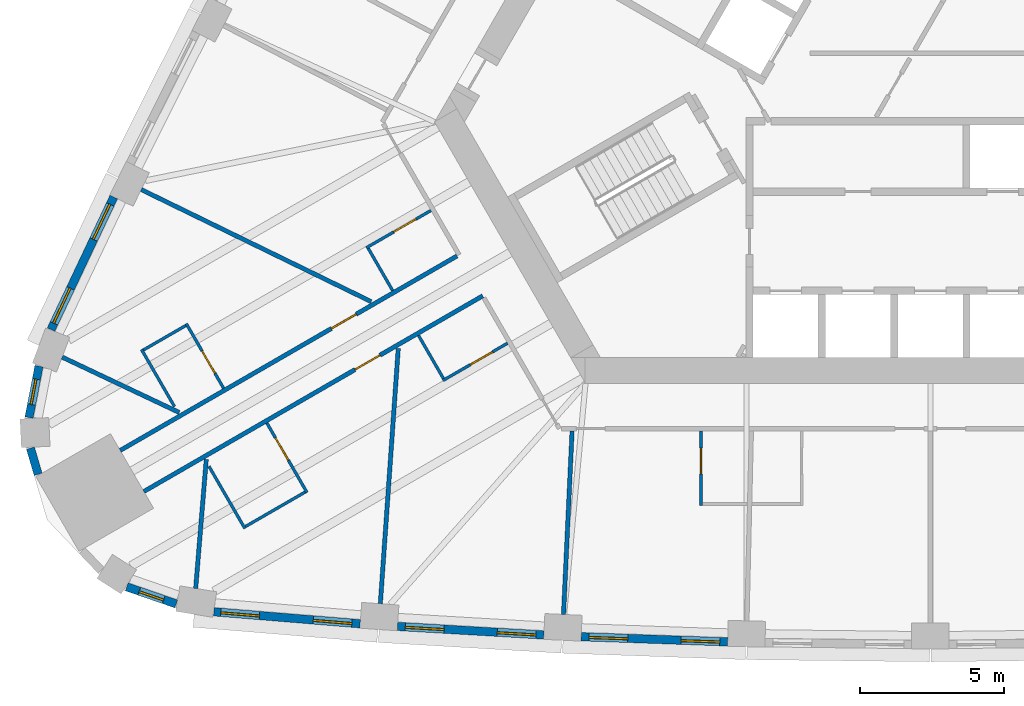
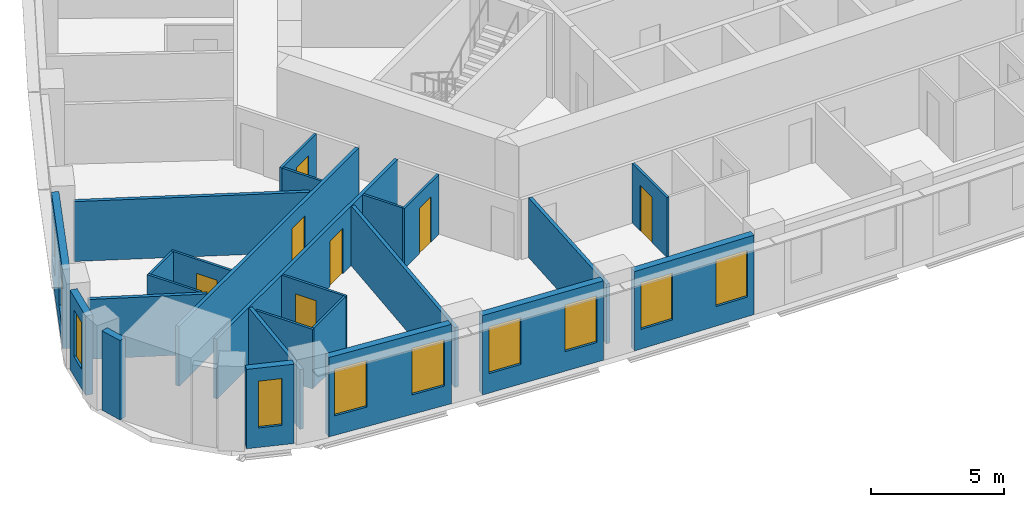
# One storey, part 3 of 13: 25 walls, 10 windows, 7 doors, 17 openings.
"""IFC4 building model written with IfcOpenShell, lengths in metres."""

import ifcopenshell
import ifcopenshell.guid

model = None  # the IFC model being written
_history = None  # IfcOwnerHistory: only IFC2X3 demands one
_inside = {}  # id of a spatial element -> (the spatial element, [elements in it])
_under = {}  # id of a project, library or spatial element -> (it, [spatial elements below it])
_declared = {}  # id of a project -> (the project, [libraries it declares])
_typed = {}  # id of a type object -> (the type object, [elements of that type])
_made_of = {}  # id of a material, layer set ... -> (it, [elements and type objects made of it])


def new_model(schema):
    """Start an empty IFC model of exactly this schema.

    Asked for "IFC4X3", IfcOpenShell would pick the latest addendum, in which some entities
    have other attributes; the version numbers below select the first issue.
    IFC2X3 requires an IfcOwnerHistory on every rooted entity: one is made here for all.
    """
    global model, _history
    if schema == "IFC4X3":
        model = ifcopenshell.file(schema_version=(4, 3, 0, 0))
    else:
        model = ifcopenshell.file(schema=schema)
    _inside.clear()
    _under.clear()
    _declared.clear()
    _typed.clear()
    _made_of.clear()
    _history = None
    if model.schema == "IFC2X3":
        org = make("IfcOrganization", Name="unknown")
        user = make(
            "IfcPersonAndOrganization",
            ThePerson=make("IfcPerson", FamilyName="unknown"),
            TheOrganization=org,
        )
        app = make(
            "IfcApplication",
            ApplicationDeveloper=org,
            Version="unknown",
            ApplicationFullName="unknown",
            ApplicationIdentifier="unknown",
        )
        _history = make(
            "IfcOwnerHistory",
            OwningUser=user,
            OwningApplication=app,
            ChangeAction="ADDED",
            CreationDate=0,
        )
    return model


def make(cls, **values):
    """One entity of the class cls with the attributes given. An attribute that is None is left unset."""
    return model.create_entity(
        cls, **{name: value for name, value in values.items() if value is not None}
    )


def rooted(cls, **values):
    """An entity with a GlobalId (a new one), such as an element, a storey or a relation."""
    return make(cls, GlobalId=ifcopenshell.guid.new(), OwnerHistory=_history, **values)


def si_unit(unit_type, name, prefix=None):
    """IfcSIUnit, for example si_unit("LENGTHUNIT", "METRE", prefix="MILLI")."""
    return make("IfcSIUnit", UnitType=unit_type, Prefix=prefix, Name=name)


def assignment(units):
    """IfcUnitAssignment: the units of a project."""
    return None if units is None else make("IfcUnitAssignment", Units=units)


def point(xyz):
    """IfcCartesianPoint."""
    return None if xyz is None else make("IfcCartesianPoint", Coordinates=xyz)


def direction(xyz):
    """IfcDirection."""
    return None if xyz is None else make("IfcDirection", DirectionRatios=xyz)


def frame(location, z_axis=None, x_axis=None):
    """IfcAxis2Placement3D, a coordinate frame: its origin and axes. An axis left out is left unset."""
    return make(
        "IfcAxis2Placement3D",
        Location=point(location),
        Axis=direction(z_axis),
        RefDirection=direction(x_axis),
    )


def frame_2d(location, x_axis=None):
    """IfcAxis2Placement2D, a coordinate frame in the plane: its origin and x axis."""
    return make(
        "IfcAxis2Placement2D", Location=point(location), RefDirection=direction(x_axis)
    )


def origin():
    """The frame at (0, 0, 0) with its axes left unset."""
    return frame((0.0, 0.0, 0.0))


def place(relative_to, where):
    """IfcLocalPlacement: puts the frame where relative to a parent placement (None: the world)."""
    return make(
        "IfcLocalPlacement", PlacementRelTo=relative_to, RelativePlacement=where
    )


def context(
    kind, dimensions, precision=None, world=None, true_north=None, identifier=None
):
    """IfcGeometricRepresentationContext, for example the 3D "Model" context."""
    return make(
        "IfcGeometricRepresentationContext",
        ContextIdentifier=identifier,
        ContextType=kind,
        CoordinateSpaceDimension=dimensions,
        Precision=precision,
        WorldCoordinateSystem=world,
        TrueNorth=true_north,
    )


def subcontext(parent, identifier, kind, view, scale=None):
    """IfcGeometricRepresentationSubContext, for example "Body" below "Model"."""
    return make(
        "IfcGeometricRepresentationSubContext",
        ContextIdentifier=identifier,
        ContextType=kind,
        ParentContext=parent,
        TargetScale=scale,
        TargetView=view,
    )


def project(units=None, contexts=None):
    """IfcProject with its units and contexts."""
    return rooted(
        "IfcProject",
        Name="project",
        RepresentationContexts=contexts,
        UnitsInContext=assignment(units),
    )


def spatial(cls, under=None, at=None, **own):
    """A site, building, storey or space (cls), placed at a placement, below another one or the project."""
    s = rooted(cls, ObjectPlacement=at, **own)
    if under is not None:
        _under.setdefault(under.id(), (under, []))[1].append(s)
    return s


def profile(cls, at=None, kind="AREA", **sizes):
    """A parametric profile (cls). Its sizes go by their IFC names, for example OverallWidth=200.0."""
    return make(cls, ProfileType=kind, Position=at, **sizes)


def rectangle(**sizes):
    """IfcRectangleProfileDef."""
    return profile("IfcRectangleProfileDef", **sizes)


def extrude(swept, where, along, depth):
    """IfcExtrudedAreaSolid: the profile swept, set in the frame where, extruded along a direction by depth."""
    return make(
        "IfcExtrudedAreaSolid",
        SweptArea=swept,
        Position=where,
        ExtrudedDirection=direction(along),
        Depth=depth,
    )


def shape(context_of_items, identifier, shape_type, items):
    """IfcShapeRepresentation: the items that make up one representation, for example the "Body"."""
    return make(
        "IfcShapeRepresentation",
        ContextOfItems=context_of_items,
        RepresentationIdentifier=identifier,
        RepresentationType=shape_type,
        Items=items,
    )


def material(Name=None, Category=None):
    """IfcMaterial."""
    return make("IfcMaterial", Name=Name, Category=Category)


def layer(
    of_material, thickness, ventilated=None, Name=None, Category=None, Priority=None
):
    """IfcMaterialLayer: one layer of a wall or slab, of a material (None: an air gap)."""
    return make(
        "IfcMaterialLayer",
        Material=of_material,
        LayerThickness=thickness,
        IsVentilated=ventilated,
        Name=Name,
        Category=Category,
        Priority=Priority,
    )


def layer_set(layers, Name=None):
    """IfcMaterialLayerSet."""
    return make("IfcMaterialLayerSet", MaterialLayers=layers, LayerSetName=Name)


def made_of(thing, what):
    """Note that an element or type object is made of a material, layer set ...; save() writes the relation."""
    if what is not None:
        _made_of.setdefault(what.id(), (what, []))[1].append(thing)
    return thing


def type_object(cls, material=None, **own):
    """A type object (cls), such as IfcWallType, which elements share."""
    return made_of(rooted(cls, **own), material)


def element(
    cls,
    number,
    at=None,
    inside=None,
    cuts=None,
    type_object=None,
    material=None,
    context=None,
    identifier="Body",
    shape_type=None,
    held_by="IfcProductDefinitionShape",
    body=None,
    shapes=None,
    **own,
):
    """One element of the class cls, such as IfcWall. Its Tag is "e" and its number.

    at: its placement. inside: the storey or other place that contains it. cuts: it is an
    opening in that element (IfcRelVoidsElement). A single representation is given by context,
    identifier, shape_type and body (its items); several are given by shapes. held_by: the class
    of the entity that holds the representations. save() writes the other relations.
    """
    e = rooted(cls, Tag="e%d" % number, ObjectPlacement=at, **own)
    if body is not None:
        shapes = [shape(context, identifier, shape_type, body)]
    if shapes is not None:
        e.Representation = make(held_by, Representations=shapes)
    if inside is not None:
        _inside.setdefault(inside.id(), (inside, []))[1].append(e)
    if cuts is not None:
        rooted(
            "IfcRelVoidsElement", RelatingBuildingElement=cuts, RelatedOpeningElement=e
        )
    if type_object is not None:
        _typed.setdefault(type_object.id(), (type_object, []))[1].append(e)
    return made_of(e, material)


def fill(opening, filler):
    """IfcRelFillsElement: the door or window that sits in an opening."""
    return rooted(
        "IfcRelFillsElement",
        RelatingOpeningElement=opening,
        RelatedBuildingElement=filler,
    )


def aggregate(whole, parts):
    """IfcRelAggregates: a whole, such as a stair, and the parts it consists of."""
    return rooted("IfcRelAggregates", RelatingObject=whole, RelatedObjects=parts)


def save(model, path):
    """Write the relations noted so far, then the file.

    IfcRelAggregates (storeys below a building ...), IfcRelContainedInSpatialStructure (elements
    in a storey), IfcRelDefinesByType, IfcRelAssociatesMaterial and IfcRelDeclares: one each for
    every whole, place, type object, material and project.
    """
    for whole, parts in _under.values():
        aggregate(whole, parts)
    for where, things in _inside.values():
        rooted(
            "IfcRelContainedInSpatialStructure",
            RelatedElements=things,
            RelatingStructure=where,
        )
    for kind, things in _typed.values():
        rooted("IfcRelDefinesByType", RelatedObjects=things, RelatingType=kind)
    for what, things in _made_of.values():
        rooted("IfcRelAssociatesMaterial", RelatedObjects=things, RelatingMaterial=what)
    for by, libraries in _declared.values():
        rooted("IfcRelDeclares", RelatingContext=by, RelatedDefinitions=libraries)
    model.write(path)


model = new_model("IFC4")

# Units and contexts
model_context = context("Model", 3, precision=1e-05, world=origin(), true_north=direction((0.0, 1.0)))
body_context = subcontext(model_context, "Body", "Model", "MODEL_VIEW")
ifc_project = project(units=[si_unit("LENGTHUNIT", "METRE"), si_unit("AREAUNIT", "SQUARE_METRE"), si_unit("VOLUMEUNIT", "CUBIC_METRE"), si_unit("PLANEANGLEUNIT", "RADIAN"), si_unit("MASSUNIT", "GRAM", prefix="KILO")], contexts=[model_context])

# Site, building, storey
site_placement = place(None, origin())
site = spatial("IfcSite", under=ifc_project, at=site_placement, CompositionType="ELEMENT")
building_placement = place(site_placement, origin())
building = spatial("IfcBuilding", under=site, at=building_placement, Name="Mestral Congress Tower", CompositionType="ELEMENT")
storey_placement = place(building_placement, frame((0.0, 0.0, 95.39990234375)))
storey = spatial("IfcBuildingStorey", under=building, at=storey_placement, Name="L22", CompositionType="ELEMENT", Elevation=95.39990234375)

# Wall, openings, windows
ifc_material_1 = material(Name="Precast concrete C40/50 with limestone facing", Category="masonry")
ifc_layer_1 = layer(ifc_material_1, 0.2900390625)
ifc_layer_set_1 = layer_set([ifc_layer_1], Name="Precast concrete C40/50 with limestone facing")
wall_type_1 = type_object("IfcWallType", Name="Facade stone wall 290", PredefinedType="SOLIDWALL", material=ifc_layer_set_1)
wall_1_placement = place(storey_placement, frame((-24.9462890625, -20.95361328125, 0.0), z_axis=(0.0, 0.0, 1.0), x_axis=(0.99665273362, -0.081751627308, 0.0)))
wall_1 = element("IfcWall", 1, at=wall_1_placement, inside=storey, type_object=wall_type_1, Name="Facade wall F0-00", PredefinedType="SOLIDWALL", context=body_context, shape_type="SweptSolid", body=[
    extrude(rectangle(XDim=5.106689453125, YDim=0.2900390625, at=frame_2d((2.55322265625, 0.0))), origin(), (0.0, 0.0, 1.0), 3.650146484375),
])
opening_1_placement = place(wall_1_placement, frame((0.240478515625, 0.0, 0.89990234375)))
opening_1 = element("IfcOpeningElement", 2, at=opening_1_placement, cuts=wall_1, Name="Opening W2", PredefinedType="OPENING", context=body_context, shape_type="SweptSolid", body=[
    extrude(rectangle(XDim=1.35009765625, YDim=2.14990234375, at=frame_2d((0.675048828125, 1.074951171875))), frame((0.0, 0.155029296875, 0.0), z_axis=(0.0, -1.0, 0.0), x_axis=(1.0, 0.0, 0.0)), (0.0, 0.0, 1.0), 0.31005859375),
])
opening_2_placement = place(wall_1_placement, frame((3.47119140625, 0.0, 0.89990234375)))
opening_2 = element("IfcOpeningElement", 3, at=opening_2_placement, cuts=wall_1, Name="Opening W2", PredefinedType="OPENING", context=body_context, shape_type="SweptSolid", body=[
    extrude(rectangle(XDim=1.35009765625, YDim=2.14990234375, at=frame_2d((0.675048828125, 1.074951171875))), frame((0.0, 0.155029296875, 0.0), z_axis=(0.0, -1.0, 0.0), x_axis=(1.0, 0.0, 0.0)), (0.0, 0.0, 1.0), 0.31005859375),
])
ifc_material_2 = material(Name="Clear low-emissivity double glazing", Category="glass")
window_type_1 = type_object("IfcWindowType", Name="Facade punched window 1350 x 2150 sill 900", PartitioningType="DOUBLE_PANEL_VERTICAL", PredefinedType="WINDOW", material=ifc_material_2)
window_1_placement = place(opening_1_placement, origin())
window_1 = element("IfcWindow", 4, at=window_1_placement, inside=storey, type_object=window_type_1, Name="Window F0-00a", OverallHeight=2.14990234375, OverallWidth=1.35009765625, PartitioningType="DOUBLE_PANEL_VERTICAL", PredefinedType="WINDOW", context=body_context, shape_type="SweptSolid", body=[
    extrude(rectangle(XDim=1.35009765625, YDim=2.14990234375, at=frame_2d((0.675048828125, 1.074951171875))), frame((0.0, 0.01513671875, 0.0), z_axis=(0.0, -1.0, 0.0), x_axis=(1.0, 0.0, 0.0)), (0.0, 0.0, 1.0), 0.06005859375),
])
fill(opening_1, window_1)
window_2_placement = place(opening_2_placement, origin())
window_2 = element("IfcWindow", 5, at=window_2_placement, inside=storey, type_object=window_type_1, Name="Window F0-00b", OverallHeight=2.14990234375, OverallWidth=1.35009765625, PartitioningType="DOUBLE_PANEL_VERTICAL", PredefinedType="WINDOW", context=body_context, shape_type="SweptSolid", body=[
    extrude(rectangle(XDim=1.35009765625, YDim=2.14990234375, at=frame_2d((0.675048828125, 1.074951171875))), frame((0.0, 0.01513671875, 0.0), z_axis=(0.0, -1.0, 0.0), x_axis=(1.0, 0.0, 0.0)), (0.0, 0.0, 1.0), 0.06005859375),
])
fill(opening_2, window_2)

wall_2_placement = place(storey_placement, frame((-18.553466796875, -21.462890625, 0.0), z_axis=(0.0, 0.0, 1.0), x_axis=(0.998290511436, -0.058447025388, 0.0)))
wall_2 = element("IfcWall", 6, at=wall_2_placement, inside=storey, type_object=wall_type_1, Name="Facade wall F0-01", PredefinedType="SOLIDWALL", context=body_context, shape_type="SweptSolid", body=[
    extrude(rectangle(XDim=5.100341796875, YDim=0.2900390625, at=frame_2d((2.55029296875, 0.0))), origin(), (0.0, 0.0, 1.0), 3.650146484375),
])
opening_3_placement = place(wall_2_placement, frame((0.272705078125, 0.0, 0.89990234375)))
opening_3 = element("IfcOpeningElement", 7, at=opening_3_placement, cuts=wall_2, Name="Opening W2", PredefinedType="OPENING", context=body_context, shape_type="SweptSolid", body=[
    extrude(rectangle(XDim=1.35009765625, YDim=2.14990234375, at=frame_2d((0.675048828125, 1.074951171875))), frame((0.0, 0.155029296875, 0.0), z_axis=(0.0, -1.0, 0.0), x_axis=(1.0, 0.0, 0.0)), (0.0, 0.0, 1.0), 0.31005859375),
])
opening_4_placement = place(wall_2_placement, frame((3.477783203125, 0.0, 0.89990234375)))
opening_4 = element("IfcOpeningElement", 8, at=opening_4_placement, cuts=wall_2, Name="Opening W2", PredefinedType="OPENING", context=body_context, shape_type="SweptSolid", body=[
    extrude(rectangle(XDim=1.35009765625, YDim=2.14990234375, at=frame_2d((0.675048828125, 1.074951171875))), frame((0.0, 0.155029296875, 0.0), z_axis=(0.0, -1.0, 0.0), x_axis=(1.0, 0.0, 0.0)), (0.0, 0.0, 1.0), 0.31005859375),
])
window_3_placement = place(opening_3_placement, origin())
window_3 = element("IfcWindow", 9, at=window_3_placement, inside=storey, type_object=window_type_1, Name="Window F0-01a", OverallHeight=2.14990234375, OverallWidth=1.35009765625, PartitioningType="DOUBLE_PANEL_VERTICAL", PredefinedType="WINDOW", context=body_context, shape_type="SweptSolid", body=[
    extrude(rectangle(XDim=1.35009765625, YDim=2.14990234375, at=frame_2d((0.675048828125, 1.074951171875))), frame((0.0, 0.01513671875, 0.0), z_axis=(0.0, -1.0, 0.0), x_axis=(1.0, 0.0, 0.0)), (0.0, 0.0, 1.0), 0.06005859375),
])
fill(opening_3, window_3)
window_4_placement = place(opening_4_placement, origin())
window_4 = element("IfcWindow", 10, at=window_4_placement, inside=storey, type_object=window_type_1, Name="Window F0-01b", OverallHeight=2.14990234375, OverallWidth=1.35009765625, PartitioningType="DOUBLE_PANEL_VERTICAL", PredefinedType="WINDOW", context=body_context, shape_type="SweptSolid", body=[
    extrude(rectangle(XDim=1.35009765625, YDim=2.14990234375, at=frame_2d((0.675048828125, 1.074951171875))), frame((0.0, 0.01513671875, 0.0), z_axis=(0.0, -1.0, 0.0), x_axis=(1.0, 0.0, 0.0)), (0.0, 0.0, 1.0), 0.06005859375),
])
fill(opening_4, window_4)

wall_3_placement = place(storey_placement, frame((-12.15673828125, -21.822021484375, 0.0), z_axis=(0.0, 0.0, 1.0), x_axis=(0.999385993957, -0.035037623812, 0.0)))
wall_3 = element("IfcWall", 11, at=wall_3_placement, inside=storey, type_object=wall_type_1, Name="Facade wall F0-02", PredefinedType="SOLIDWALL", context=body_context, shape_type="SweptSolid", body=[
    extrude(rectangle(XDim=5.1005859375, YDim=0.2900390625, at=frame_2d((2.55029296875, 0.0))), origin(), (0.0, 0.0, 1.0), 3.650146484375),
])
opening_5_placement = place(wall_3_placement, frame((0.272705078125, 0.0, 0.89990234375)))
opening_5 = element("IfcOpeningElement", 12, at=opening_5_placement, cuts=wall_3, Name="Opening W2", PredefinedType="OPENING", context=body_context, shape_type="SweptSolid", body=[
    extrude(rectangle(XDim=1.35009765625, YDim=2.14990234375, at=frame_2d((0.675048828125, 1.074951171875))), frame((0.0, 0.155029296875, 0.0), z_axis=(0.0, -1.0, 0.0), x_axis=(1.0, 0.0, 0.0)), (0.0, 0.0, 1.0), 0.31005859375),
])
opening_6_placement = place(wall_3_placement, frame((3.477783203125, 0.0, 0.89990234375)))
opening_6 = element("IfcOpeningElement", 13, at=opening_6_placement, cuts=wall_3, Name="Opening W2", PredefinedType="OPENING", context=body_context, shape_type="SweptSolid", body=[
    extrude(rectangle(XDim=1.35009765625, YDim=2.14990234375, at=frame_2d((0.675048828125, 1.074951171875))), frame((0.0, 0.155029296875, 0.0), z_axis=(0.0, -1.0, 0.0), x_axis=(1.0, 0.0, 0.0)), (0.0, 0.0, 1.0), 0.31005859375),
])
window_5_placement = place(opening_5_placement, origin())
window_5 = element("IfcWindow", 14, at=window_5_placement, inside=storey, type_object=window_type_1, Name="Window F0-02a", OverallHeight=2.14990234375, OverallWidth=1.35009765625, PartitioningType="DOUBLE_PANEL_VERTICAL", PredefinedType="WINDOW", context=body_context, shape_type="SweptSolid", body=[
    extrude(rectangle(XDim=1.35009765625, YDim=2.14990234375, at=frame_2d((0.675048828125, 1.074951171875))), frame((0.0, 0.01513671875, 0.0), z_axis=(0.0, -1.0, 0.0), x_axis=(1.0, 0.0, 0.0)), (0.0, 0.0, 1.0), 0.06005859375),
])
fill(opening_5, window_5)
window_6_placement = place(opening_6_placement, origin())
window_6 = element("IfcWindow", 15, at=window_6_placement, inside=storey, type_object=window_type_1, Name="Window F0-02b", OverallHeight=2.14990234375, OverallWidth=1.35009765625, PartitioningType="DOUBLE_PANEL_VERTICAL", PredefinedType="WINDOW", context=body_context, shape_type="SweptSolid", body=[
    extrude(rectangle(XDim=1.35009765625, YDim=2.14990234375, at=frame_2d((0.675048828125, 1.074951171875))), frame((0.0, 0.01513671875, 0.0), z_axis=(0.0, -1.0, 0.0), x_axis=(1.0, 0.0, 0.0)), (0.0, 0.0, 1.0), 0.06005859375),
])
fill(opening_6, window_6)

wall_4_placement = place(storey_placement, frame((-28.436279296875, -6.5107421875, 0.0), z_axis=(0.0, 0.0, 1.0), x_axis=(-0.427543726596, -0.903994669148, 0.0)))
wall_4 = element("IfcWall", 16, at=wall_4_placement, inside=storey, type_object=wall_type_1, Name="Facade wall F2-07", PredefinedType="SOLIDWALL", context=body_context, shape_type="SweptSolid", body=[
    extrude(rectangle(XDim=5.106689453125, YDim=0.2900390625, at=frame_2d((2.55322265625, 0.0))), origin(), (0.0, 0.0, 1.0), 3.650146484375),
])
opening_7_placement = place(wall_4_placement, frame((0.285400390625, 0.0, 0.89990234375)))
opening_7 = element("IfcOpeningElement", 17, at=opening_7_placement, cuts=wall_4, Name="Opening W2", PredefinedType="OPENING", context=body_context, shape_type="SweptSolid", body=[
    extrude(rectangle(XDim=1.35009765625, YDim=2.14990234375, at=frame_2d((0.675048828125, 1.074951171875))), frame((0.0, 0.155029296875, 0.0), z_axis=(0.0, -1.0, 0.0), x_axis=(1.0, 0.0, 0.0)), (0.0, 0.0, 1.0), 0.31005859375),
])
opening_8_placement = place(wall_4_placement, frame((3.516357421875, 0.0, 0.89990234375)))
opening_8 = element("IfcOpeningElement", 18, at=opening_8_placement, cuts=wall_4, Name="Opening W2", PredefinedType="OPENING", context=body_context, shape_type="SweptSolid", body=[
    extrude(rectangle(XDim=1.35009765625, YDim=2.14990234375, at=frame_2d((0.675048828125, 1.074951171875))), frame((0.0, 0.155029296875, 0.0), z_axis=(0.0, -1.0, 0.0), x_axis=(1.0, 0.0, 0.0)), (0.0, 0.0, 1.0), 0.31005859375),
])
window_7_placement = place(opening_7_placement, origin())
window_7 = element("IfcWindow", 19, at=window_7_placement, inside=storey, type_object=window_type_1, Name="Window F2-07a", OverallHeight=2.14990234375, OverallWidth=1.35009765625, PartitioningType="DOUBLE_PANEL_VERTICAL", PredefinedType="WINDOW", context=body_context, shape_type="SweptSolid", body=[
    extrude(rectangle(XDim=1.35009765625, YDim=2.14990234375, at=frame_2d((0.675048828125, 1.074951171875))), frame((0.0, 0.01513671875, 0.0), z_axis=(0.0, -1.0, 0.0), x_axis=(1.0, 0.0, 0.0)), (0.0, 0.0, 1.0), 0.06005859375),
])
fill(opening_7, window_7)
window_8_placement = place(opening_8_placement, origin())
window_8 = element("IfcWindow", 20, at=window_8_placement, inside=storey, type_object=window_type_1, Name="Window F2-07b", OverallHeight=2.14990234375, OverallWidth=1.35009765625, PartitioningType="DOUBLE_PANEL_VERTICAL", PredefinedType="WINDOW", context=body_context, shape_type="SweptSolid", body=[
    extrude(rectangle(XDim=1.35009765625, YDim=2.14990234375, at=frame_2d((0.675048828125, 1.074951171875))), frame((0.0, 0.01513671875, 0.0), z_axis=(0.0, -1.0, 0.0), x_axis=(1.0, 0.0, 0.0)), (0.0, 0.0, 1.0), 0.06005859375),
])
fill(opening_8, window_8)

# Wall, opening, window
wall_5_placement = place(storey_placement, frame((-31.0390625, -12.403076171875, 0.0), z_axis=(0.0, 0.0, 1.0), x_axis=(-0.190409913989, -0.981704672829, 0.0)))
wall_5 = element("IfcWall", 21, at=wall_5_placement, inside=storey, type_object=wall_type_1, Name="Facade wall K2-0", PredefinedType="SOLIDWALL", context=body_context, shape_type="SweptSolid", body=[
    extrude(rectangle(XDim=1.8193359375, YDim=0.2900390625, at=frame_2d((0.90966796875, 0.0))), origin(), (0.0, 0.0, 1.0), 3.650146484375),
])
opening_9_placement = place(wall_5_placement, frame((0.459716796875, 0.0, 0.89990234375)))
opening_9 = element("IfcOpeningElement", 22, at=opening_9_placement, cuts=wall_5, Name="Opening W3", PredefinedType="OPENING", context=body_context, shape_type="SweptSolid", body=[
    extrude(rectangle(XDim=0.89990234375, YDim=2.14990234375, at=frame_2d((0.449951171875, 1.074951171875))), frame((0.0, 0.155029296875, 0.0), z_axis=(0.0, -1.0, 0.0), x_axis=(1.0, 0.0, 0.0)), (0.0, 0.0, 1.0), 0.31005859375),
])
window_type_2 = type_object("IfcWindowType", Name="Facade punched window 900 x 2150 sill 900", PartitioningType="SINGLE_PANEL", PredefinedType="WINDOW", material=ifc_material_2)
window_9_placement = place(opening_9_placement, origin())
window_9 = element("IfcWindow", 23, at=window_9_placement, inside=storey, type_object=window_type_2, Name="Window K2-0", OverallHeight=2.14990234375, OverallWidth=0.89990234375, PartitioningType="SINGLE_PANEL", PredefinedType="WINDOW", context=body_context, shape_type="SweptSolid", body=[
    extrude(rectangle(XDim=0.89990234375, YDim=2.14990234375, at=frame_2d((0.449951171875, 1.074951171875))), frame((0.0, 0.01513671875, 0.0), z_axis=(0.0, -1.0, 0.0), x_axis=(1.0, 0.0, 0.0)), (0.0, 0.0, 1.0), 0.06005859375),
])
fill(opening_9, window_9)

# Wall
wall_6_placement = place(storey_placement, frame((-31.335693359375, -15.25634765625, 0.0), z_axis=(0.0, 0.0, 1.0), x_axis=(0.281454582132, -0.95957455062, 0.0)))
element("IfcWall", 24, at=wall_6_placement, inside=storey, type_object=wall_type_1, Name="Facade wall K2-1", PredefinedType="SOLIDWALL", context=body_context, shape_type="SweptSolid", body=[
    extrude(rectangle(XDim=0.947265625, YDim=0.2900390625, at=frame_2d((0.4736328125, 0.0))), origin(), (0.0, 0.0, 1.0), 3.650146484375),
])

# Wall, opening, window
wall_7_placement = place(storey_placement, frame((-27.98095703125, -20.086181640625, 0.0), z_axis=(0.0, 0.0, 1.0), x_axis=(0.945385815453, -0.325953462844, 0.0)))
wall_7 = element("IfcWall", 25, at=wall_7_placement, inside=storey, type_object=wall_type_1, Name="Facade wall K2-3", PredefinedType="SOLIDWALL", context=body_context, shape_type="SweptSolid", body=[
    extrude(rectangle(XDim=1.8193359375, YDim=0.2900390625, at=frame_2d((0.90966796875, 0.0))), origin(), (0.0, 0.0, 1.0), 3.650146484375),
])
opening_10_placement = place(wall_7_placement, frame((0.459716796875, 0.0, 0.89990234375)))
opening_10 = element("IfcOpeningElement", 26, at=opening_10_placement, cuts=wall_7, Name="Opening W3", PredefinedType="OPENING", context=body_context, shape_type="SweptSolid", body=[
    extrude(rectangle(XDim=0.89990234375, YDim=2.14990234375, at=frame_2d((0.449951171875, 1.074951171875))), frame((0.0, 0.155029296875, 0.0), z_axis=(0.0, -1.0, 0.0), x_axis=(1.0, 0.0, 0.0)), (0.0, 0.0, 1.0), 0.31005859375),
])
window_10_placement = place(opening_10_placement, origin())
window_10 = element("IfcWindow", 27, at=window_10_placement, inside=storey, type_object=window_type_2, Name="Window K2-3", OverallHeight=2.14990234375, OverallWidth=0.89990234375, PartitioningType="SINGLE_PANEL", PredefinedType="WINDOW", context=body_context, shape_type="SweptSolid", body=[
    extrude(rectangle(XDim=0.89990234375, YDim=2.14990234375, at=frame_2d((0.449951171875, 1.074951171875))), frame((0.0, 0.01513671875, 0.0), z_axis=(0.0, -1.0, 0.0), x_axis=(1.0, 0.0, 0.0)), (0.0, 0.0, 1.0), 0.06005859375),
])
fill(opening_10, window_10)

# Wall, opening, door
ifc_material_3 = material(Name="Gypsum board partition on metal studs with mineral wool", Category="composite")
ifc_layer_2 = layer(ifc_material_3, 0.10009765625)
ifc_layer_set_2 = layer_set([ifc_layer_2], Name="Gypsum board partition on metal studs with mineral wool")
wall_type_2 = type_object("IfcWallType", Name="Hotel partition wall 100", PredefinedType="PARTITIONING", material=ifc_layer_set_2)
wall_8_placement = place(storey_placement, frame((-21.703857421875, -16.802978515625, 0.0), z_axis=(0.0, 0.0, 1.0), x_axis=(-0.500049511043, 0.865996816683, 0.0)))
wall_8 = element("IfcWall", 28, at=wall_8_placement, inside=storey, type_object=wall_type_2, Name="L22-h-pod01a", PredefinedType="PARTITIONING", context=body_context, shape_type="SweptSolid", body=[
    extrude(rectangle(XDim=2.800048828125, YDim=0.10009765625, at=frame_2d((1.39990234375, 0.0))), origin(), (0.0, 0.0, 1.0), 2.75),
])
opening_11_placement = place(wall_8_placement, frame((1.300048828125, 0.0, 0.0)))
opening_11 = element("IfcOpeningElement", 29, at=opening_11_placement, cuts=wall_8, Name="Opening H07-002", PredefinedType="OPENING", context=body_context, shape_type="SweptSolid", body=[
    extrude(rectangle(XDim=0.89990234375, YDim=2.10009765625, at=frame_2d((0.449951171875, 1.050048828125))), frame((0.0, 0.06005859375, 0.0), z_axis=(0.0, -1.0, 0.0), x_axis=(1.0, 0.0, 0.0)), (0.0, 0.0, 1.0), 0.1201171875),
])
ifc_material_4 = material(Name="Timber veneer door leaf in timber frame", Category="wood")
door_type_1 = type_object("IfcDoorType", Name="Bathroom door 900", OperationType="SINGLE_SWING_LEFT", PredefinedType="DOOR", material=ifc_material_4)
door_1_placement = place(opening_11_placement, origin())
door_1 = element("IfcDoor", 30, at=door_1_placement, inside=storey, type_object=door_type_1, Name="L22-h-d002", OperationType="SINGLE_SWING_LEFT", OverallHeight=2.10009765625, OverallWidth=0.89990234375, PredefinedType="DOOR", context=body_context, shape_type="SweptSolid", body=[
    extrude(rectangle(XDim=0.89990234375, YDim=2.10009765625, at=frame_2d((0.449951171875, 1.050048828125))), frame((0.0, 0.02490234375, 0.0), z_axis=(0.0, -1.0, 0.0), x_axis=(1.0, 0.0, 0.0)), (0.0, 0.0, 1.0), 0.050048828125),
])
fill(opening_11, door_1)

# Walls
wall_9_placement = place(storey_placement, frame((-21.772216796875, -16.784912109375, 0.0), z_axis=(0.0, 0.0, 1.0), x_axis=(-0.866024647952, -0.500001309137, 0.0)))
element("IfcWall", 31, at=wall_9_placement, inside=storey, type_object=wall_type_2, Name="L22-h-pod01b", PredefinedType="PARTITIONING", context=body_context, shape_type="SweptSolid", body=[
    extrude(rectangle(XDim=2.39990234375, YDim=0.10009765625, at=frame_2d((1.199951171875, 0.0))), origin(), (0.0, 0.0, 1.0), 2.75),
])
wall_10_placement = place(storey_placement, frame((-25.118896484375, -15.88818359375, 0.0), z_axis=(0.0, 0.0, 1.0), x_axis=(0.500046524342, -0.865998541277, 0.0)))
element("IfcWall", 32, at=wall_10_placement, inside=storey, type_object=wall_type_2, Name="L22-h-pod01c", PredefinedType="PARTITIONING", context=body_context, shape_type="SweptSolid", body=[
    extrude(rectangle(XDim=2.499755859375, YDim=0.10009765625, at=frame_2d((1.25, 0.0))), origin(), (0.0, 0.0, 1.0), 2.75),
])

# Wall, opening, door
wall_11_placement = place(storey_placement, frame((-16.973876953125, -12.900390625, 0.0), z_axis=(0.0, 0.0, 1.0), x_axis=(0.865997922154, 0.500047596559, 0.0)))
wall_11 = element("IfcWall", 33, at=wall_11_placement, inside=storey, type_object=wall_type_2, Name="L22-h-pod02a", PredefinedType="PARTITIONING", context=body_context, shape_type="SweptSolid", body=[
    extrude(rectangle(XDim=2.599853515625, YDim=0.10009765625, at=frame_2d((1.2998046875, 0.0))), origin(), (0.0, 0.0, 1.0), 2.75),
])
opening_12_placement = place(wall_11_placement, frame((1.10009765625, 0.0, 0.0)))
opening_12 = element("IfcOpeningElement", 34, at=opening_12_placement, cuts=wall_11, Name="Opening H07-004", PredefinedType="OPENING", context=body_context, shape_type="SweptSolid", body=[
    extrude(rectangle(XDim=0.89990234375, YDim=2.10009765625, at=frame_2d((0.449951171875, 1.050048828125))), frame((0.0, 0.06005859375, 0.0), z_axis=(0.0, -1.0, 0.0), x_axis=(1.0, 0.0, 0.0)), (0.0, 0.0, 1.0), 0.1201171875),
])
door_2_placement = place(opening_12_placement, origin())
door_2 = element("IfcDoor", 35, at=door_2_placement, inside=storey, type_object=door_type_1, Name="L22-h-d004", OperationType="SINGLE_SWING_LEFT", OverallHeight=2.10009765625, OverallWidth=0.89990234375, PredefinedType="DOOR", context=body_context, shape_type="SweptSolid", body=[
    extrude(rectangle(XDim=0.89990234375, YDim=2.10009765625, at=frame_2d((0.449951171875, 1.050048828125))), frame((0.0, 0.02490234375, 0.0), z_axis=(0.0, -1.0, 0.0), x_axis=(1.0, 0.0, 0.0)), (0.0, 0.0, 1.0), 0.050048828125),
])
fill(opening_12, door_2)

# Wall
wall_12_placement = place(storey_placement, frame((-16.95556640625, -12.83203125, 0.0), z_axis=(0.0, 0.0, 1.0), x_axis=(-0.499978980201, 0.866037539231, 0.0)))
element("IfcWall", 36, at=wall_12_placement, inside=storey, type_object=wall_type_2, Name="L22-h-pod02b", PredefinedType="PARTITIONING", context=body_context, shape_type="SweptSolid", body=[
    extrude(rectangle(XDim=1.72998046875, YDim=0.10009765625, at=frame_2d((0.864990234375, 0.0))), origin(), (0.0, 0.0, 1.0), 2.75),
])

# Wall, opening, door
wall_13_placement = place(storey_placement, frame((-7.98779296875, -14.64990234375, 0.0), z_axis=(0.0, 0.0, 1.0), x_axis=(0.0, -1.0, 0.0)))
wall_13 = element("IfcWall", 37, at=wall_13_placement, inside=storey, type_object=wall_type_2, Name="L22-h-pod03a", PredefinedType="PARTITIONING", context=body_context, shape_type="SweptSolid", body=[
    extrude(rectangle(XDim=2.60009765625, YDim=0.10009765625, at=frame_2d((1.300048828125, 0.0))), origin(), (0.0, 0.0, 1.0), 2.75),
])
opening_13_placement = place(wall_13_placement, frame((0.60009765625, 0.0, 0.0)))
opening_13 = element("IfcOpeningElement", 38, at=opening_13_placement, cuts=wall_13, Name="Opening H07-006", PredefinedType="OPENING", context=body_context, shape_type="SweptSolid", body=[
    extrude(rectangle(XDim=0.89990234375, YDim=2.10009765625, at=frame_2d((0.449951171875, 1.050048828125))), frame((0.0, 0.06005859375, 0.0), z_axis=(0.0, -1.0, 0.0), x_axis=(1.0, 0.0, 0.0)), (0.0, 0.0, 1.0), 0.1201171875),
])
door_3_placement = place(opening_13_placement, origin())
door_3 = element("IfcDoor", 39, at=door_3_placement, inside=storey, type_object=door_type_1, Name="L22-h-d006", OperationType="SINGLE_SWING_RIGHT", OverallHeight=2.10009765625, OverallWidth=0.89990234375, PredefinedType="DOOR", context=body_context, shape_type="SweptSolid", body=[
    extrude(rectangle(XDim=0.89990234375, YDim=2.10009765625, at=frame_2d((0.449951171875, 1.050048828125))), frame((0.0, 0.02490234375, 0.0), z_axis=(0.0, -1.0, 0.0), x_axis=(1.0, 0.0, 0.0)), (0.0, 0.0, 1.0), 0.050048828125),
])
fill(opening_13, door_3)

wall_14_placement = place(storey_placement, frame((-17.390380859375, -6.97900390625, 0.0), z_axis=(0.0, 0.0, 1.0), x_axis=(-0.866021400173, -0.500006934395, 0.0)))
wall_14 = element("IfcWall", 40, at=wall_14_placement, inside=storey, type_object=wall_type_2, Name="L22-h-pod25a", PredefinedType="PARTITIONING", context=body_context, shape_type="SweptSolid", body=[
    extrude(rectangle(XDim=2.60009765625, YDim=0.10009765625, at=frame_2d((1.300048828125, 0.0))), origin(), (0.0, 0.0, 1.0), 2.75),
])
opening_14_placement = place(wall_14_placement, frame((0.60009765625, 0.0, 0.0)))
opening_14 = element("IfcOpeningElement", 41, at=opening_14_placement, cuts=wall_14, Name="Opening H07-047", PredefinedType="OPENING", context=body_context, shape_type="SweptSolid", body=[
    extrude(rectangle(XDim=0.89990234375, YDim=2.10009765625, at=frame_2d((0.449951171875, 1.050048828125))), frame((0.0, 0.06005859375, 0.0), z_axis=(0.0, -1.0, 0.0), x_axis=(1.0, 0.0, 0.0)), (0.0, 0.0, 1.0), 0.1201171875),
])
door_4_placement = place(opening_14_placement, origin())
door_4 = element("IfcDoor", 42, at=door_4_placement, inside=storey, type_object=door_type_1, Name="L22-h-d047", OperationType="SINGLE_SWING_LEFT", OverallHeight=2.10009765625, OverallWidth=0.89990234375, PredefinedType="DOOR", context=body_context, shape_type="SweptSolid", body=[
    extrude(rectangle(XDim=0.89990234375, YDim=2.10009765625, at=frame_2d((0.449951171875, 1.050048828125))), frame((0.0, 0.02490234375, 0.0), z_axis=(0.0, -1.0, 0.0), x_axis=(1.0, 0.0, 0.0)), (0.0, 0.0, 1.0), 0.050048828125),
])
fill(opening_14, door_4)

# Wall
wall_15_placement = place(storey_placement, frame((-19.57373046875, -8.29736328125, 0.0), z_axis=(0.0, 0.0, 1.0), x_axis=(0.500062241894, -0.865989465428, 0.0)))
element("IfcWall", 43, at=wall_15_placement, inside=storey, type_object=wall_type_2, Name="L22-h-pod25b", PredefinedType="PARTITIONING", context=body_context, shape_type="SweptSolid", body=[
    extrude(rectangle(XDim=1.699951171875, YDim=0.10009765625, at=frame_2d((0.85009765625, 0.0))), origin(), (0.0, 0.0, 1.0), 2.75),
])

# Wall, opening, door
wall_16_placement = place(storey_placement, frame((-24.610107421875, -13.16943359375, 0.0), z_axis=(0.0, 0.0, 1.0), x_axis=(-0.500006934395, 0.866021400173, 0.0)))
wall_16 = element("IfcWall", 44, at=wall_16_placement, inside=storey, type_object=wall_type_2, Name="L22-h-pod26a", PredefinedType="PARTITIONING", context=body_context, shape_type="SweptSolid", body=[
    extrude(rectangle(XDim=2.60009765625, YDim=0.10009765625, at=frame_2d((1.300048828125, 0.0))), origin(), (0.0, 0.0, 1.0), 2.75),
])
opening_15_placement = place(wall_16_placement, frame((0.60009765625, 0.0, 0.0)))
opening_15 = element("IfcOpeningElement", 45, at=opening_15_placement, cuts=wall_16, Name="Opening H07-049", PredefinedType="OPENING", context=body_context, shape_type="SweptSolid", body=[
    extrude(rectangle(XDim=0.89990234375, YDim=2.10009765625, at=frame_2d((0.449951171875, 1.050048828125))), frame((0.0, 0.06005859375, 0.0), z_axis=(0.0, -1.0, 0.0), x_axis=(1.0, 0.0, 0.0)), (0.0, 0.0, 1.0), 0.1201171875),
])
door_5_placement = place(opening_15_placement, origin())
door_5 = element("IfcDoor", 46, at=door_5_placement, inside=storey, type_object=door_type_1, Name="L22-h-d049", OperationType="SINGLE_SWING_LEFT", OverallHeight=2.10009765625, OverallWidth=0.89990234375, PredefinedType="DOOR", context=body_context, shape_type="SweptSolid", body=[
    extrude(rectangle(XDim=0.89990234375, YDim=2.10009765625, at=frame_2d((0.449951171875, 1.050048828125))), frame((0.0, 0.02490234375, 0.0), z_axis=(0.0, -1.0, 0.0), x_axis=(1.0, 0.0, 0.0)), (0.0, 0.0, 1.0), 0.050048828125),
])
fill(opening_15, door_5)

# Walls
wall_17_placement = place(storey_placement, frame((-25.928466796875, -10.986083984375, 0.0), z_axis=(0.0, 0.0, 1.0), x_axis=(-0.865989465428, -0.500062241894, 0.0)))
element("IfcWall", 47, at=wall_17_placement, inside=storey, type_object=wall_type_2, Name="L22-h-pod26b", PredefinedType="PARTITIONING", context=body_context, shape_type="SweptSolid", body=[
    extrude(rectangle(XDim=1.699951171875, YDim=0.10009765625, at=frame_2d((0.85009765625, 0.0))), origin(), (0.0, 0.0, 1.0), 2.75),
])
wall_18_placement = place(storey_placement, frame((-26.319091796875, -13.809814453125, 0.0), z_axis=(0.0, 0.0, 1.0), x_axis=(-0.499952165731, 0.866053019151, 0.0)))
element("IfcWall", 48, at=wall_18_placement, inside=storey, type_object=wall_type_2, Name="L22-h-pod26c", PredefinedType="PARTITIONING", context=body_context, shape_type="SweptSolid", body=[
    extrude(rectangle(XDim=2.300048828125, YDim=0.10009765625, at=frame_2d((1.14990234375, 0.0))), origin(), (0.0, 0.0, 1.0), 2.75),
])

# Wall, opening, door
ifc_layer_3 = layer(ifc_material_3, 0.14990234375)
ifc_layer_set_3 = layer_set([ifc_layer_3], Name="Gypsum board partition on metal studs with mineral wool")
wall_type_3 = type_object("IfcWallType", Name="Hotel partition wall 150", PredefinedType="PARTITIONING", material=ifc_layer_set_3)
wall_19_placement = place(storey_placement, frame((-28.210693359375, -15.334716796875, 0.0), z_axis=(0.0, 0.0, 1.0), x_axis=(0.866025884867, 0.49999916674, 0.0)))
wall_19 = element("IfcWall", 49, at=wall_19_placement, inside=storey, type_object=wall_type_3, Name="L22-h-cw10", PredefinedType="PARTITIONING", context=body_context, shape_type="SweptSolid", body=[
    extrude(rectangle(XDim=13.54345703125, YDim=0.14990234375, at=frame_2d((6.771728515625, 0.0))), origin(), (0.0, 0.0, 1.0), 2.75),
])
opening_16_placement = place(wall_19_placement, frame((8.48828125, 0.0, 0.0)))
opening_16 = element("IfcOpeningElement", 50, at=opening_16_placement, cuts=wall_19, Name="Opening H07-048", PredefinedType="OPENING", context=body_context, shape_type="SweptSolid", body=[
    extrude(rectangle(XDim=1.0, YDim=2.10009765625, at=frame_2d((0.5, 1.050048828125))), frame((0.0, 0.0849609375, 0.0), z_axis=(0.0, -1.0, 0.0), x_axis=(1.0, 0.0, 0.0)), (0.0, 0.0, 1.0), 0.169921875),
])
ifc_material_5 = material(Name="Timber veneer door leaf in metal frame", Category="wood")
door_type_2 = type_object("IfcDoorType", Name="Guest room entrance door 1000", OperationType="SINGLE_SWING_LEFT", PredefinedType="DOOR", material=ifc_material_5)
door_6_placement = place(opening_16_placement, origin())
door_6 = element("IfcDoor", 51, at=door_6_placement, inside=storey, type_object=door_type_2, Name="L22-h-d048", OperationType="SINGLE_SWING_RIGHT", OverallHeight=2.10009765625, OverallWidth=1.0, PredefinedType="DOOR", context=body_context, shape_type="SweptSolid", body=[
    extrude(rectangle(XDim=1.0, YDim=2.10009765625, at=frame_2d((0.5, 1.050048828125))), frame((0.0, 0.02490234375, 0.0), z_axis=(0.0, -1.0, 0.0), x_axis=(1.0, 0.0, 0.0)), (0.0, 0.0, 1.0), 0.050048828125),
])
fill(opening_16, door_6)

wall_20_placement = place(storey_placement, frame((-15.58740234375, -9.951904296875, 0.0), z_axis=(0.0, 0.0, 1.0), x_axis=(-0.866017869832, -0.500013048961, 0.0)))
wall_20 = element("IfcWall", 52, at=wall_20_placement, inside=storey, type_object=wall_type_3, Name="L22-h-cw11", PredefinedType="PARTITIONING", context=body_context, shape_type="SweptSolid", body=[
    extrude(rectangle(XDim=13.623779296875, YDim=0.14990234375, at=frame_2d((6.81201171875, 0.0))), origin(), (0.0, 0.0, 1.0), 2.75),
])
opening_17_placement = place(wall_20_placement, frame((4.1337890625, 0.0, 0.0)))
opening_17 = element("IfcOpeningElement", 53, at=opening_17_placement, cuts=wall_20, Name="Opening H07-001", PredefinedType="OPENING", context=body_context, shape_type="SweptSolid", body=[
    extrude(rectangle(XDim=1.0, YDim=2.10009765625, at=frame_2d((0.5, 1.050048828125))), frame((0.0, 0.0849609375, 0.0), z_axis=(0.0, -1.0, 0.0), x_axis=(1.0, 0.0, 0.0)), (0.0, 0.0, 1.0), 0.169921875),
])
door_7_placement = place(opening_17_placement, origin())
door_7 = element("IfcDoor", 54, at=door_7_placement, inside=storey, type_object=door_type_2, Name="L22-h-d001", OperationType="SINGLE_SWING_LEFT", OverallHeight=2.10009765625, OverallWidth=1.0, PredefinedType="DOOR", context=body_context, shape_type="SweptSolid", body=[
    extrude(rectangle(XDim=1.0, YDim=2.10009765625, at=frame_2d((0.5, 1.050048828125))), frame((0.0, 0.02490234375, 0.0), z_axis=(0.0, -1.0, 0.0), x_axis=(1.0, 0.0, 0.0)), (0.0, 0.0, 1.0), 0.050048828125),
])
fill(opening_17, door_7)

# Walls
wall_21_placement = place(storey_placement, frame((-30.23095703125, -12.08544921875, 0.0), z_axis=(0.0, 0.0, 1.0), x_axis=(0.904001132572, -0.427530060122, 0.0)))
element("IfcWall", 55, at=wall_21_placement, inside=storey, type_object=wall_type_3, Name="L22-h-pw01", PredefinedType="PARTITIONING", context=body_context, shape_type="SweptSolid", body=[
    extrude(rectangle(XDim=4.509521484375, YDim=0.14990234375, at=frame_2d((2.2548828125, 0.0))), origin(), (0.0, 0.0, 1.0), 2.75),
])
wall_22_placement = place(storey_placement, frame((-25.581787109375, -20.13818359375, 0.0), z_axis=(0.0, 0.0, 1.0), x_axis=(0.081746132986, 0.996653184283, 0.0)))
element("IfcWall", 56, at=wall_22_placement, inside=storey, type_object=wall_type_3, Name="L22-h-pw02", PredefinedType="PARTITIONING", context=body_context, shape_type="SweptSolid", body=[
    extrude(rectangle(XDim=4.509765625, YDim=0.14990234375, at=frame_2d((2.2548828125, 0.0))), origin(), (0.0, 0.0, 1.0), 2.75),
])
wall_23_placement = place(storey_placement, frame((-27.478515625, -6.2509765625, 0.0), z_axis=(0.0, 0.0, 1.0), x_axis=(0.898945877276, -0.438059710231, 0.0)))
element("IfcWall", 57, at=wall_23_placement, inside=storey, type_object=wall_type_3, Name="L22-h-pw03", PredefinedType="PARTITIONING", context=body_context, shape_type="SweptSolid", body=[
    extrude(rectangle(XDim=8.909423828125, YDim=0.14990234375, at=frame_2d((4.45458984375, 0.0))), origin(), (0.0, 0.0, 1.0), 2.75),
])
wall_24_placement = place(storey_placement, frame((-19.152587890625, -20.67138671875, 0.0), z_axis=(0.0, 0.0, 1.0), x_axis=(0.070070736723, 0.997542025107, 0.0)))
element("IfcWall", 58, at=wall_24_placement, inside=storey, type_object=wall_type_3, Name="L22-h-pw05", PredefinedType="PARTITIONING", context=body_context, shape_type="SweptSolid", body=[
    extrude(rectangle(XDim=8.9091796875, YDim=0.14990234375, at=frame_2d((4.45458984375, 0.0))), origin(), (0.0, 0.0, 1.0), 2.75),
])
wall_25_placement = place(storey_placement, frame((-12.7744140625, -21.044921875, 0.0), z_axis=(0.0, 0.0, 1.0), x_axis=(0.046750341626, 0.998906605023, 0.0)))
element("IfcWall", 59, at=wall_25_placement, inside=storey, type_object=wall_type_3, Name="L22-h-pw08", PredefinedType="PARTITIONING", context=body_context, shape_type="SweptSolid", body=[
    extrude(rectangle(XDim=6.39208984375, YDim=0.14990234375, at=frame_2d((3.196044921875, 0.0))), origin(), (0.0, 0.0, 1.0), 2.75),
])

save(model, "model.ifc")
